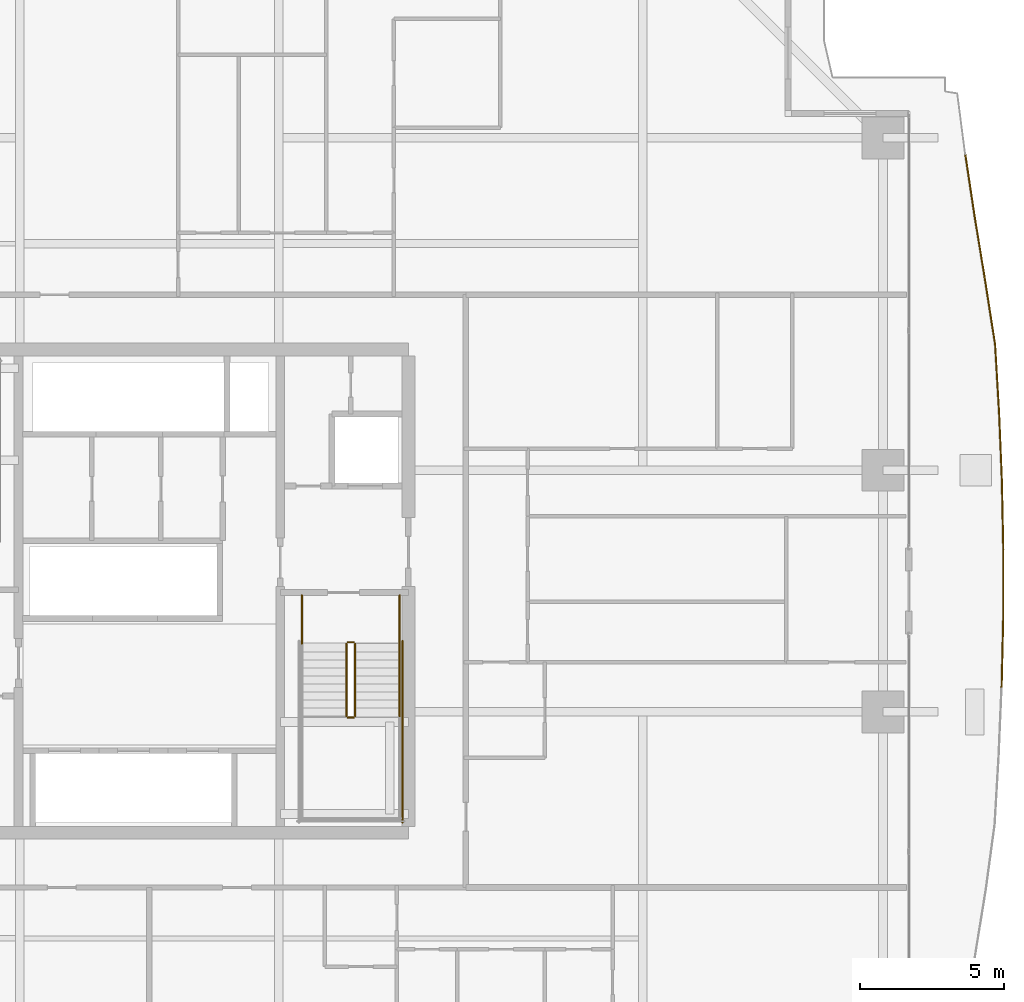
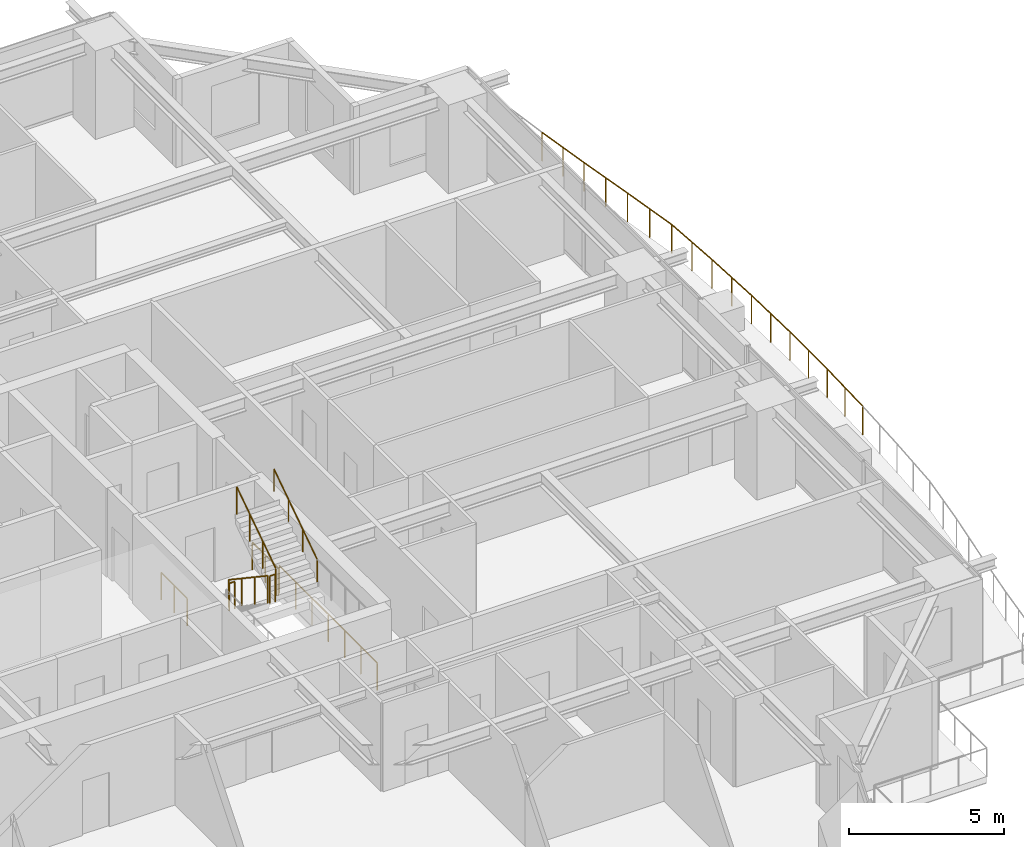
# One storey, part 38 of 39: 9 railings.
"""IFC4 building model written with IfcOpenShell, lengths in metres."""

from ifc_helpers import new_model, si_unit, direction, frame, origin, origin_2d, place, context, subcontext, project, spatial, circle, extrude, material, type_object, element, save


model = new_model("IFC4")

# Units and contexts
model_context = context("Model", 3, precision=1e-05, world=origin(), true_north=direction((0.0, 1.0)))
body_context = subcontext(model_context, "Body", "Model", "MODEL_VIEW")
ifc_project = project(units=[si_unit("LENGTHUNIT", "METRE"), si_unit("AREAUNIT", "SQUARE_METRE"), si_unit("VOLUMEUNIT", "CUBIC_METRE"), si_unit("PLANEANGLEUNIT", "RADIAN"), si_unit("MASSUNIT", "GRAM", prefix="KILO")], contexts=[model_context])

# Site, building, storey
site_placement = place(None, origin())
site = spatial("IfcSite", under=ifc_project, at=site_placement, CompositionType="ELEMENT")
building_placement = place(site_placement, origin())
building = spatial("IfcBuilding", under=site, at=building_placement, Name="Serunith Strait Residences", CompositionType="ELEMENT")
storey_placement = place(building_placement, frame((0.0, 0.0, 97.949951171875)))
storey = spatial("IfcBuildingStorey", under=building, at=storey_placement, Name="L24", CompositionType="ELEMENT", Elevation=97.949951171875)

# Railings
ifc_material_1 = material(Name="Stainless Steel & Laminated Glass Balustrade", Category="steel")
railing_type_1 = type_object("IfcRailingType", Name="RLG-BALC-1150", PredefinedType="BALUSTRADE", material=ifc_material_1)
railing_1_placement = place(storey_placement, frame((60.76171875, 40.37451171875, -0.050048828125)))
element("IfcRailing", 1, at=railing_1_placement, inside=storey, type_object=railing_type_1, Name="L24 Swirling Balcony Perimeter Balustrade 5", PredefinedType="BALUSTRADE", context=body_context, shape_type="SweptSolid", body=[
    extrude(circle(Radius=0.02392578125, at=origin_2d()), frame((0.000244140625, -0.001953125, 1.1259765625), z_axis=(0.148746054456, -0.988875427586, 0.0), x_axis=(0.988875427586, 0.148746054456, 0.0)), (0.0, 0.0, 1.0), 2.174072265625),
    extrude(circle(Radius=0.02392578125, at=origin_2d()), frame((0.32421875, -2.15576171875, 1.1259765625), z_axis=(0.161494404207, -0.986873627883, 0.0), x_axis=(0.986873627883, 0.161494404207, 0.0)), (0.0, 0.0, 1.0), 2.21826171875),
    extrude(circle(Radius=0.02392578125, at=origin_2d()), frame((0.68310546875, -4.348876953125, 1.1259765625), z_axis=(0.15401120416, -0.988069101325, 0.0), x_axis=(0.988069101325, 0.15401120416, 0.0)), (0.0, 0.0, 1.0), 2.277099609375),
    extrude(circle(Radius=0.02392578125, at=origin_2d()), frame((1.0341796875, -6.602783203125, 1.1259765625), z_axis=(0.05898285763, -0.998258995705, 0.0), x_axis=(0.998258995705, 0.05898285763, 0.0)), (0.0, 0.0, 1.0), 2.355224609375),
    extrude(circle(Radius=0.02392578125, at=origin_2d()), frame((1.17333984375, -8.9580078125, 1.1259765625), z_axis=(0.04093666878, -0.999161743237, 0.0), x_axis=(0.999161743237, 0.04093666878, 0.0)), (0.0, 0.0, 1.0), 2.381591796875),
    extrude(circle(Radius=0.02392578125, at=origin_2d()), frame((1.27099609375, -11.341552734375, 1.1259765625), z_axis=(0.020227662117, -0.999795399912, 0.0), x_axis=(0.999795399912, 0.020227662117, 0.0)), (0.0, 0.0, 1.0), 2.39794921875),
    extrude(circle(Radius=0.02392578125, at=origin_2d()), frame((1.319580078125, -13.742919921875, 1.1259765625), z_axis=(-0.001419444986, -0.999998992587, 0.0), x_axis=(0.999998992587, -0.001419444986, 0.0)), (0.0, 0.0, 1.0), 2.404052734375),
    extrude(circle(Radius=0.02392578125, at=origin_2d()), frame((1.316162109375, -16.15087890625, 1.1259765625), z_axis=(-0.022871493946, -0.999738413168, 0.0), x_axis=(0.999738413168, -0.022871493946, 0.0)), (0.0, 0.0, 1.0), 2.397705078125),
    extrude(circle(Radius=0.02099609375, at=origin_2d()), origin(), (0.0, 0.0, 1.0), 1.099853515625),
    extrude(circle(Radius=0.02099609375, at=origin_2d()), frame((0.162109375, -1.076904296875, 0.0)), (0.0, 0.0, 1.0), 1.099853515625),
    extrude(circle(Radius=0.02099609375, at=origin_2d()), frame((0.323974609375, -2.15380859375, 0.0)), (0.0, 0.0, 1.0), 1.099853515625),
    extrude(circle(Radius=0.02099609375, at=origin_2d()), frame((0.50341796875, -3.25048828125, 0.0)), (0.0, 0.0, 1.0), 1.099853515625),
    extrude(circle(Radius=0.02099609375, at=origin_2d()), frame((0.682861328125, -4.346923828125, 0.0)), (0.0, 0.0, 1.0), 1.099853515625),
    extrude(circle(Radius=0.02099609375, at=origin_2d()), frame((0.8583984375, -5.473876953125, 0.0)), (0.0, 0.0, 1.0), 1.099853515625),
    extrude(circle(Radius=0.02099609375, at=origin_2d()), frame((1.0341796875, -6.600830078125, 0.0)), (0.0, 0.0, 1.0), 1.099853515625),
    extrude(circle(Radius=0.02099609375, at=origin_2d()), frame((1.103759765625, -7.7783203125, 0.0)), (0.0, 0.0, 1.0), 1.099853515625),
    extrude(circle(Radius=0.02099609375, at=origin_2d()), frame((1.17333984375, -8.9560546875, 0.0)), (0.0, 0.0, 1.0), 1.099853515625),
    extrude(circle(Radius=0.02099609375, at=origin_2d()), frame((1.22216796875, -10.14794921875, 0.0)), (0.0, 0.0, 1.0), 1.099853515625),
    extrude(circle(Radius=0.02099609375, at=origin_2d()), frame((1.27099609375, -11.339599609375, 0.0)), (0.0, 0.0, 1.0), 1.099853515625),
    extrude(circle(Radius=0.02099609375, at=origin_2d()), frame((1.29541015625, -12.540283203125, 0.0)), (0.0, 0.0, 1.0), 1.099853515625),
    extrude(circle(Radius=0.02099609375, at=origin_2d()), frame((1.319580078125, -13.740966796875, 0.0)), (0.0, 0.0, 1.0), 1.099853515625),
    extrude(circle(Radius=0.02099609375, at=origin_2d()), frame((1.31787109375, -14.94482421875, 0.0)), (0.0, 0.0, 1.0), 1.099853515625),
    extrude(circle(Radius=0.02099609375, at=origin_2d()), frame((1.316162109375, -16.14892578125, 0.0)), (0.0, 0.0, 1.0), 1.099853515625),
    extrude(circle(Radius=0.02099609375, at=origin_2d()), frame((1.28857421875, -17.349609375, 0.0)), (0.0, 0.0, 1.0), 1.099853515625),
    extrude(circle(Radius=0.02099609375, at=origin_2d()), frame((1.26123046875, -18.550048828125, 0.0)), (0.0, 0.0, 1.0), 1.099853515625),
])
ifc_material_2 = material(Name="Brushed stainless steel 316L", Category="steel")
railing_type_2 = type_object("IfcRailingType", Name="RLG-STAIR-GUARD", PredefinedType="BALUSTRADE", material=ifc_material_2)
railing_2_placement = place(storey_placement, frame((39.25, 23.3701171875, 0.1875)))
element("IfcRailing", 2, at=railing_2_placement, inside=storey, type_object=railing_type_2, Name="L24 ST-2 stair guard 1", PredefinedType="BALUSTRADE", context=body_context, shape_type="SweptSolid", body=[
    extrude(circle(Radius=0.02392578125, at=origin_2d()), frame((0.0, -0.001708984375, 1.0771484375), z_axis=(0.0, -0.830909170722, 0.55640807867), x_axis=(1.0, 0.0, 0.0)), (0.0, 0.0, 1.0), 3.02880859375),
    extrude(circle(Radius=0.02099609375, at=origin_2d()), origin(), (0.0, 0.0, 1.0), 1.050048828125),
    extrude(circle(Radius=0.02099609375, at=origin_2d()), frame((0.0, -0.840087890625, 0.5625)), (0.0, 0.0, 1.0), 1.050048828125),
    extrude(circle(Radius=0.02099609375, at=origin_2d()), frame((0.0, -1.679931640625, 1.125)), (0.0, 0.0, 1.0), 1.050048828125),
    extrude(circle(Radius=0.02099609375, at=origin_2d()), frame((0.0, -2.52001953125, 1.6875)), (0.0, 0.0, 1.0), 1.050048828125),
])
railing_3_placement = place(storey_placement, frame((39.300048828125, 20.800048828125, 1.875)))
element("IfcRailing", 3, at=railing_3_placement, inside=storey, type_object=railing_type_2, Name="L24 ST-2 stair guard 2", PredefinedType="BALUSTRADE", context=body_context, shape_type="SweptSolid", body=[
    extrude(circle(Radius=0.02392578125, at=origin_2d()), frame((0.001953125, 0.0, 1.076171875), z_axis=(1.0, 0.0, 0.0), x_axis=(0.0, 1.0, 0.0)), (0.0, 0.0, 1.0), 0.196044921875),
    extrude(circle(Radius=0.02099609375, at=origin_2d()), origin(), (0.0, 0.0, 1.0), 1.050048828125),
    extrude(circle(Radius=0.02099609375, at=origin_2d()), frame((0.199951171875, 0.0, 0.0)), (0.0, 0.0, 1.0), 1.050048828125),
])
railing_4_placement = place(storey_placement, frame((39.550048828125, 20.85009765625, 2.0625)))
element("IfcRailing", 4, at=railing_4_placement, inside=storey, type_object=railing_type_2, Name="L24 ST-2 stair guard 6", PredefinedType="BALUSTRADE", context=body_context, shape_type="SweptSolid", body=[
    extrude(circle(Radius=0.02392578125, at=origin_2d()), frame((0.0, 0.001708984375, 1.0771484375), z_axis=(0.0, 0.830909170722, 0.55640807867), x_axis=(-1.0, 0.0, 0.0)), (0.0, 0.0, 1.0), 3.02880859375),
    extrude(circle(Radius=0.02099609375, at=origin_2d()), origin(), (0.0, 0.0, 1.0), 1.050048828125),
    extrude(circle(Radius=0.02099609375, at=origin_2d()), frame((0.0, 0.840087890625, 0.5625)), (0.0, 0.0, 1.0), 1.050048828125),
    extrude(circle(Radius=0.02099609375, at=origin_2d()), frame((0.0, 1.679931640625, 1.125)), (0.0, 0.0, 1.0), 1.050048828125),
    extrude(circle(Radius=0.02099609375, at=origin_2d()), frame((0.0, 2.52001953125, 1.6875)), (0.0, 0.0, 1.0), 1.050048828125),
])
railing_5_placement = place(storey_placement, frame((39.300048828125, 23.419921875, 0.0)))
element("IfcRailing", 5, at=railing_5_placement, inside=storey, type_object=railing_type_2, Name="L24 ST-2 stair guard 7", PredefinedType="BALUSTRADE", context=body_context, shape_type="SweptSolid", body=[
    extrude(circle(Radius=0.02392578125, at=origin_2d()), frame((0.001953125, 0.0, 1.076171875), z_axis=(1.0, 0.0, 0.0), x_axis=(0.0, 1.0, 0.0)), (0.0, 0.0, 1.0), 0.196044921875),
    extrude(circle(Radius=0.02099609375, at=origin_2d()), origin(), (0.0, 0.0, 1.0), 1.050048828125),
    extrude(circle(Radius=0.02099609375, at=origin_2d()), frame((0.199951171875, 0.0, 0.0)), (0.0, 0.0, 1.0), 1.050048828125),
])
for number, where, name in (
    (6, (37.699951171875, 25.050048828125, 0.0), "L24 ST-2 stair guard 8"),
    (7, (41.10009765625, 25.050048828125, 0.0), "L24 ST-2 stair guard 9"),
):
    element("IfcRailing", number, at=place(storey_placement, frame(where)), inside=storey, type_object=railing_type_2, Name=name, PredefinedType="BALUSTRADE", context=body_context, shape_type="SweptSolid", body=[
        extrude(circle(Radius=0.02392578125, at=origin_2d()), frame((0.0, -0.001953125, 1.076171875), z_axis=(0.0, -1.0, 0.0), x_axis=(1.0, 0.0, 0.0)), (0.0, 0.0, 1.0), 1.676025390625),
        extrude(circle(Radius=0.02099609375, at=origin_2d()), origin(), (0.0, 0.0, 1.0), 1.050048828125),
        extrude(circle(Radius=0.02099609375, at=origin_2d()), frame((0.0, -0.83984375, 0.0)), (0.0, 0.0, 1.0), 1.050048828125),
        extrude(circle(Radius=0.02099609375, at=origin_2d()), frame((0.0, -1.679931640625, 0.0)), (0.0, 0.0, 1.0), 1.050048828125),
    ])
railing_6_placement = place(storey_placement, frame((41.199951171875, 23.469970703125, 0.0)))
element("IfcRailing", 8, at=railing_6_placement, inside=storey, type_object=railing_type_2, Name="L24 ST-2 stair guard 11", PredefinedType="BALUSTRADE", context=body_context, shape_type="SweptSolid", body=[
    extrude(circle(Radius=0.02392578125, at=origin_2d()), frame((0.0, -0.001953125, 1.076171875), z_axis=(0.0, -1.0, 0.0), x_axis=(1.0, 0.0, 0.0)), (0.0, 0.0, 1.0), 6.316162109375),
    extrude(circle(Radius=0.02099609375, at=origin_2d()), origin(), (0.0, 0.0, 1.0), 1.050048828125),
    extrude(circle(Radius=0.02099609375, at=origin_2d()), frame((0.0, -1.05322265625, 0.0)), (0.0, 0.0, 1.0), 1.050048828125),
    extrude(circle(Radius=0.02099609375, at=origin_2d()), frame((0.0, -2.106689453125, 0.0)), (0.0, 0.0, 1.0), 1.050048828125),
    extrude(circle(Radius=0.02099609375, at=origin_2d()), frame((0.0, -3.16015625, 0.0)), (0.0, 0.0, 1.0), 1.050048828125),
    extrude(circle(Radius=0.02099609375, at=origin_2d()), frame((0.0, -4.21337890625, 0.0)), (0.0, 0.0, 1.0), 1.050048828125),
    extrude(circle(Radius=0.02099609375, at=origin_2d()), frame((0.0, -5.2666015625, 0.0)), (0.0, 0.0, 1.0), 1.050048828125),
    extrude(circle(Radius=0.02099609375, at=origin_2d()), frame((0.0, -6.320068359375, 0.0)), (0.0, 0.0, 1.0), 1.050048828125),
])
railing_type_3 = type_object("IfcRailingType", Name="RLG-STAIR-HR", PredefinedType="HANDRAIL", material=ifc_material_2)
railing_7_placement = place(storey_placement, frame((41.10009765625, 20.85009765625, 2.0625)))
element("IfcRailing", 9, at=railing_7_placement, inside=storey, type_object=railing_type_3, Name="L24 ST-2 stair handrail 2", PredefinedType="HANDRAIL", context=body_context, shape_type="SweptSolid", body=[
    extrude(circle(Radius=0.02392578125, at=origin_2d()), frame((0.0, 0.001708984375, 0.876953125), z_axis=(0.0, 0.830185712471, 0.557486935101), x_axis=(-1.0, 0.0, 0.0)), (0.0, 0.0, 1.0), 3.368408203125),
    extrude(circle(Radius=0.02099609375, at=origin_2d()), origin(), (0.0, 0.0, 1.0), 0.849853515625),
    extrude(circle(Radius=0.02099609375, at=origin_2d()), frame((0.0, 0.933349609375, 0.626708984375)), (0.0, 0.0, 1.0), 0.849853515625),
    extrude(circle(Radius=0.02099609375, at=origin_2d()), frame((0.0, 1.866455078125, 1.25341796875)), (0.0, 0.0, 1.0), 0.849853515625),
    extrude(circle(Radius=0.02099609375, at=origin_2d()), frame((0.0, 2.7998046875, 1.880126953125)), (0.0, 0.0, 1.0), 0.849853515625),
])

save(model, "model.ifc")
